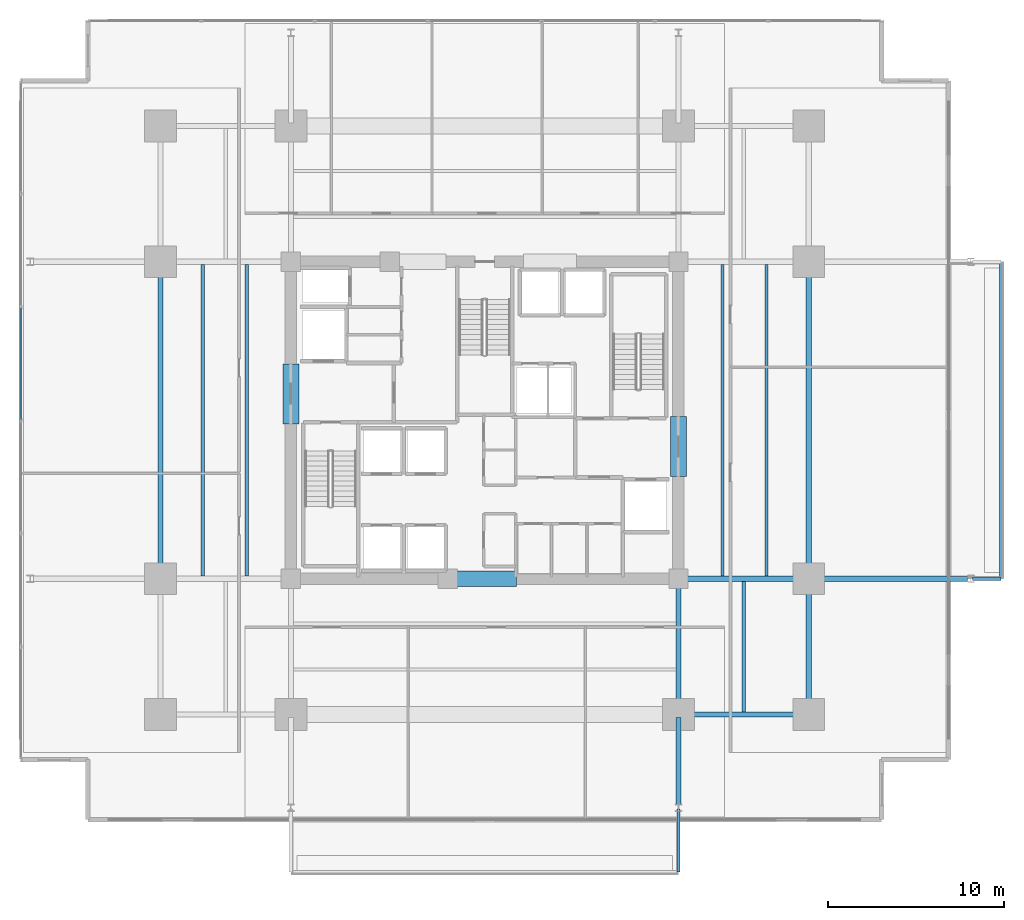
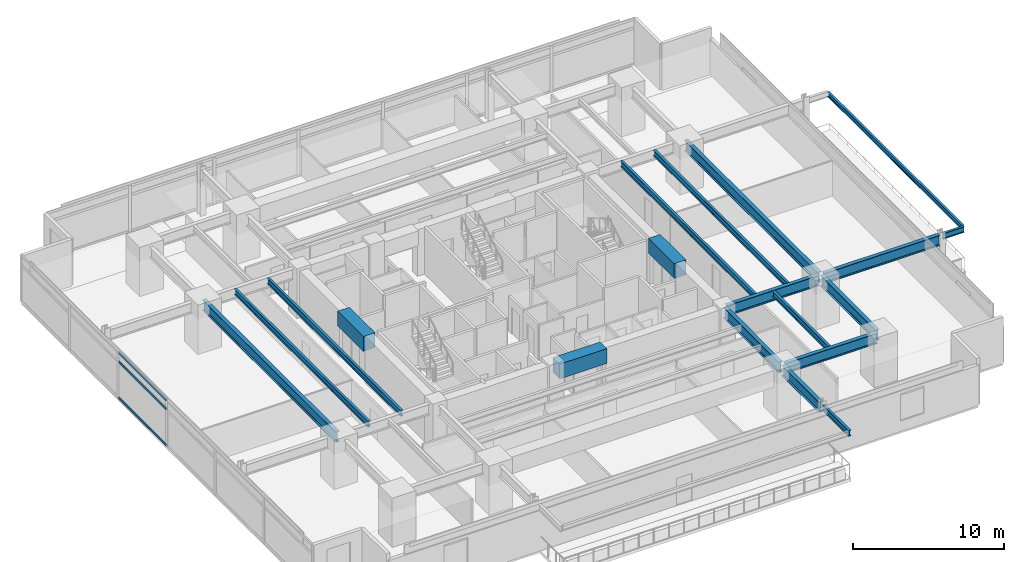
# One storey, part 5 of 21: 19 beams, 3 members, 1 element without a shape of its own.
"""IFC4 building model written with IfcOpenShell, lengths in metres."""

from ifc_helpers import new_model, si_unit, direction, frame, origin, origin_2d, place, context, subcontext, project, spatial, rectangle, hollow_rectangle, i_section, extrude, material, material_profile, profile_set, type_object, element, aggregate, save


model = new_model("IFC4")

# Units and contexts
model_context = context("Model", 3, precision=1e-05, world=origin(), true_north=direction((0.0, 1.0)))
body_context = subcontext(model_context, "Body", "Model", "MODEL_VIEW")
ifc_project = project(units=[si_unit("LENGTHUNIT", "METRE"), si_unit("AREAUNIT", "SQUARE_METRE"), si_unit("VOLUMEUNIT", "CUBIC_METRE"), si_unit("PLANEANGLEUNIT", "RADIAN"), si_unit("MASSUNIT", "GRAM", prefix="KILO")], contexts=[model_context])

# Site, building, storey
site_placement = place(None, origin())
site = spatial("IfcSite", under=ifc_project, at=site_placement, CompositionType="ELEMENT")
building_placement = place(site_placement, origin())
building = spatial("IfcBuilding", under=site, at=building_placement, Name="Kovane Verandah Tower", CompositionType="ELEMENT")
storey_placement = place(building_placement, frame((0.0, 0.0, 87.60009765625)))
storey = spatial("IfcBuildingStorey", under=building, at=storey_placement, Name="L20", CompositionType="ELEMENT", Elevation=87.60009765625)

# Beams
ifc_material_1 = material(Name="Concrete C80/95", Category="concrete")
ifc_material_profile_1 = material_profile(ifc_material_1, rectangle(XDim=0.89990234375, YDim=1.199951171875, at=origin_2d()), Name="RCB900x1200")
ifc_profile_set_1 = profile_set([ifc_material_profile_1], Name="Concrete C80/95")
beam_type_1 = type_object("IfcBeamType", Name="BM-LINTEL-900x1200", PredefinedType="LINTEL", material=ifc_profile_set_1)
beam_1_placement = place(storey_placement, frame((38.199951171875, 18.5, 3.159912109375), z_axis=(1.0, 0.0, 0.0), x_axis=(0.0, 1.0, 0.0)))
element("IfcBeam", 1, at=beam_1_placement, inside=storey, type_object=beam_type_1, Name="L20 Core Coupling Lintel CL-S", PredefinedType="LINTEL", context=body_context, shape_type="SweptSolid", body=[
    extrude(rectangle(XDim=0.89990234375, YDim=1.199951171875, at=origin_2d()), origin(), (0.0, 0.0, 1.0), 3.60009765625),
])
for number, where, z_axis, x_axis, name in (
    (2, (29.0, 27.300048828125, 3.159912109375), (0.0, 1.0, 0.0), (-1.0, 0.0, 0.0), "L20 Core Coupling Lintel CL-W"),
    (3, (51.0, 24.300048828125, 3.159912109375), (0.0, 1.0, 0.0), (-1.0, 0.0, 0.0), "L20 Core Coupling Lintel CL-E"),
):
    element("IfcBeam", number, at=place(storey_placement, frame(where, z_axis=z_axis, x_axis=x_axis)), inside=storey, type_object=beam_type_1, Name=name, PredefinedType="LINTEL", context=body_context, shape_type="SweptSolid", body=[
        extrude(rectangle(XDim=0.89990234375, YDim=1.199951171875, at=origin_2d()), origin(), (0.0, 0.0, 1.0), 3.39990234375),
    ])
ifc_material_2 = material(Name="Steel S355", Category="steel")
ifc_material_profile_2 = material_profile(ifc_material_2, i_section(OverallWidth=0.293701171875, OverallDepth=0.850830078125, WebThickness=0.01611328125, FlangeThickness=0.02685546875, FilletRadius=0.017822265625, at=origin_2d()), Name="UB838x292x226")
ifc_profile_set_2 = profile_set([ifc_material_profile_2], Name="Steel S355")
beam_type_2 = type_object("IfcBeamType", Name="BM-UB838x226", PredefinedType="BEAM", material=ifc_profile_set_2)
beam_2_placement = place(storey_placement, frame((51.179931640625, 10.800048828125, 3.33447265625), z_axis=(1.0, 0.0, 0.0), x_axis=(0.0, 1.0, 0.0)))
element("IfcBeam", 4, at=beam_2_placement, inside=storey, type_object=beam_type_2, Name="L20 Primary Tower Girder G-RS3", PredefinedType="BEAM", context=body_context, shape_type="SweptSolid", body=[
    extrude(i_section(OverallWidth=0.293701171875, OverallDepth=0.850830078125, WebThickness=0.01611328125, FlangeThickness=0.02685546875, FilletRadius=0.017822265625, at=origin_2d()), origin(), (0.0, 0.0, 1.0), 7.0400390625),
])
beam_3_placement = place(storey_placement, frame((21.60009765625, 18.679931640625, 3.33447265625), z_axis=(0.0, 1.0, 0.0), x_axis=(-1.0, 0.0, 0.0)))
element("IfcBeam", 5, at=beam_3_placement, inside=storey, type_object=beam_type_2, Name="L20 Primary Tower Girder G-RW2", PredefinedType="BEAM", context=body_context, shape_type="SweptSolid", body=[
    extrude(i_section(OverallWidth=0.293701171875, OverallDepth=0.850830078125, WebThickness=0.01611328125, FlangeThickness=0.02685546875, FilletRadius=0.017822265625, at=origin_2d()), origin(), (0.0, 0.0, 1.0), 17.64013671875),
])
beam_4_placement = place(storey_placement, frame((58.39990234375, 10.97998046875, 3.33447265625), z_axis=(0.0, 1.0, 0.0), x_axis=(-1.0, 0.0, 0.0)))
element("IfcBeam", 6, at=beam_4_placement, inside=storey, type_object=beam_type_2, Name="L20 Primary Tower Girder G-RE1", PredefinedType="BEAM", context=body_context, shape_type="SweptSolid", body=[
    extrude(i_section(OverallWidth=0.293701171875, OverallDepth=0.850830078125, WebThickness=0.01611328125, FlangeThickness=0.02685546875, FilletRadius=0.017822265625, at=origin_2d()), origin(), (0.0, 0.0, 1.0), 7.340087890625),
])
beam_5_placement = place(storey_placement, frame((58.39990234375, 18.679931640625, 3.33447265625), z_axis=(0.0, 1.0, 0.0), x_axis=(-1.0, 0.0, 0.0)))
element("IfcBeam", 7, at=beam_5_placement, inside=storey, type_object=beam_type_2, Name="L20 Primary Tower Girder G-RE2", PredefinedType="BEAM", context=body_context, shape_type="SweptSolid", body=[
    extrude(i_section(OverallWidth=0.293701171875, OverallDepth=0.850830078125, WebThickness=0.01611328125, FlangeThickness=0.02685546875, FilletRadius=0.017822265625, at=origin_2d()), origin(), (0.0, 0.0, 1.0), 17.64013671875),
])
beam_6_placement = place(storey_placement, frame((51.179931640625, 18.5, 3.33447265625), z_axis=(1.0, 0.0, 0.0), x_axis=(0.0, 1.0, 0.0)))
element("IfcBeam", 8, at=beam_6_placement, inside=storey, type_object=beam_type_2, Name="L20 Primary Tower Girder G-E1", PredefinedType="BEAM", context=body_context, shape_type="SweptSolid", body=[
    extrude(i_section(OverallWidth=0.293701171875, OverallDepth=0.850830078125, WebThickness=0.01611328125, FlangeThickness=0.02685546875, FilletRadius=0.017822265625, at=origin_2d()), origin(), (0.0, 0.0, 1.0), 7.0400390625),
])
beam_7_placement = place(storey_placement, frame((51.0, 18.320068359375, 3.33447265625), z_axis=(0.0, -1.0, 0.0), x_axis=(1.0, 0.0, 0.0)))
element("IfcBeam", 9, at=beam_7_placement, inside=storey, type_object=beam_type_2, Name="L20 Primary Tower Girder G-S2", PredefinedType="BEAM", context=body_context, shape_type="SweptSolid", body=[
    extrude(i_section(OverallWidth=0.293701171875, OverallDepth=0.850830078125, WebThickness=0.01611328125, FlangeThickness=0.02685546875, FilletRadius=0.017822265625, at=origin_2d()), origin(), (0.0, 0.0, 1.0), 7.340087890625),
])
beam_8_placement = place(storey_placement, frame((58.580078125, 18.5, 3.33447265625), z_axis=(1.0, 0.0, 0.0), x_axis=(0.0, 1.0, 0.0)))
element("IfcBeam", 10, at=beam_8_placement, inside=storey, type_object=beam_type_2, Name="L20 Primary Tower Girder G-VE1", PredefinedType="BEAM", context=body_context, shape_type="SweptSolid", body=[
    extrude(i_section(OverallWidth=0.293701171875, OverallDepth=0.850830078125, WebThickness=0.01611328125, FlangeThickness=0.02685546875, FilletRadius=0.017822265625, at=origin_2d()), origin(), (0.0, 0.0, 1.0), 8.83984375),
])
beam_9_placement = place(storey_placement, frame((51.0, 10.6201171875, 3.33447265625), z_axis=(0.0, -1.0, 0.0), x_axis=(1.0, 0.0, 0.0)))
element("IfcBeam", 11, at=beam_9_placement, inside=storey, type_object=beam_type_2, Name="L20 Primary Tower Girder G-VS2", PredefinedType="BEAM", context=body_context, shape_type="SweptSolid", body=[
    extrude(i_section(OverallWidth=0.293701171875, OverallDepth=0.850830078125, WebThickness=0.01611328125, FlangeThickness=0.02685546875, FilletRadius=0.017822265625, at=origin_2d()), origin(), (0.0, 0.0, 1.0), 4.940185546875),
])

# Curtain wall, members
ifc_material_3 = material(Name="Champagne Anodised Aluminium Frame with Low-E Clear Laminated Glass", Category="aluminium")
curtain_wall_type = type_object("IfcCurtainWallType", Name="CW-SYS-02-LOW", PredefinedType="NOTDEFINED", material=ifc_material_3)
curtain_wall_placement = place(storey_placement, origin())
curtain_wall = element("IfcCurtainWall", 12, at=curtain_wall_placement, inside=storey, type_object=curtain_wall_type, Name="L20 W Unitised Curtain Wall", PredefinedType="NOTDEFINED")
ifc_material_4 = material(Name="Champagne Anodised Aluminium 6063-T6", Category="aluminium")
ifc_material_profile_3 = material_profile(ifc_material_4, hollow_rectangle(XDim=0.0849609375, YDim=0.18994140625, WallThickness=0.00390625, at=origin_2d()), Name="AL85x190x4")
ifc_profile_set_3 = profile_set([ifc_material_profile_3], Name="Champagne Anodised Aluminium 6063-T6")
member_type = type_object("IfcMemberType", Name="CW-TRN-85x190", PredefinedType="USERDEFINED", material=ifc_profile_set_3)
member_1_placement = place(storey_placement, frame((13.670166015625, 33.87353515625, 0.0498046875), z_axis=(0.0, -1.0, 0.0), x_axis=(1.0, 0.0, 0.0)))
member_1 = element("IfcMember", 13, at=member_1_placement, type_object=member_type, Name="L20 W Unitised Curtain Wall Transom TB Bay 3", ObjectType="TRANSOM", PredefinedType="USERDEFINED", context=body_context, shape_type="SweptSolid", body=[
    extrude(hollow_rectangle(XDim=0.0849609375, YDim=0.18994140625, WallThickness=0.00390625, at=origin_2d()), origin(), (0.0, 0.0, 1.0), 6.323486328125),
])
member_2_placement = place(storey_placement, frame((13.670166015625, 33.87353515625, 2.97998046875), z_axis=(0.0, -1.0, 0.0), x_axis=(1.0, 0.0, 0.0)))
member_2 = element("IfcMember", 14, at=member_2_placement, type_object=member_type, Name="L20 W Unitised Curtain Wall Transom TM Bay 3", ObjectType="TRANSOM", PredefinedType="USERDEFINED", context=body_context, shape_type="SweptSolid", body=[
    extrude(hollow_rectangle(XDim=0.0849609375, YDim=0.18994140625, WallThickness=0.00390625, at=origin_2d()), origin(), (0.0, 0.0, 1.0), 6.323486328125),
])
member_3_placement = place(storey_placement, frame((13.670166015625, 33.87353515625, 3.7099609375), z_axis=(0.0, -1.0, 0.0), x_axis=(1.0, 0.0, 0.0)))
member_3 = element("IfcMember", 15, at=member_3_placement, type_object=member_type, Name="L20 W Unitised Curtain Wall Transom TT Bay 3", ObjectType="TRANSOM", PredefinedType="USERDEFINED", context=body_context, shape_type="SweptSolid", body=[
    extrude(hollow_rectangle(XDim=0.0849609375, YDim=0.18994140625, WallThickness=0.00390625, at=origin_2d()), origin(), (0.0, 0.0, 1.0), 6.323486328125),
])
aggregate(curtain_wall, [member_1, member_2, member_3])

# Beams
ifc_material_profile_4 = material_profile(ifc_material_2, i_section(OverallWidth=0.19287109375, OverallDepth=0.46728515625, WebThickness=0.011474609375, FlangeThickness=0.01953125, FilletRadius=0.01025390625, at=origin_2d()), Name="UB457x191x98")
ifc_profile_set_4 = profile_set([ifc_material_profile_4], Name="Steel S355")
beam_type_3 = type_object("IfcBeamType", Name="JST-UB457x98", PredefinedType="JOIST", material=ifc_profile_set_4)
for number, where, z_axis, x_axis, name in (
    (16, (24.0, 18.64501953125, 3.5263671875), (0.0, 1.0, 0.0), (-1.0, 0.0, 0.0), "L20 Secondary Composite Joist J-W1"),
    (17, (26.5, 18.64501953125, 3.5263671875), (0.0, 1.0, 0.0), (-1.0, 0.0, 0.0), "L20 Secondary Composite Joist J-W2"),
    (18, (53.5, 18.64501953125, 3.5263671875), (0.0, 1.0, 0.0), (-1.0, 0.0, 0.0), "L20 Secondary Composite Joist J-E1"),
    (19, (56.0, 18.64501953125, 3.5263671875), (0.0, 1.0, 0.0), (-1.0, 0.0, 0.0), "L20 Secondary Composite Joist J-E2"),
):
    element("IfcBeam", number, at=place(storey_placement, frame(where, z_axis=z_axis, x_axis=x_axis)), inside=storey, type_object=beam_type_3, Name=name, PredefinedType="JOIST", context=body_context, shape_type="SweptSolid", body=[
        extrude(i_section(OverallWidth=0.19287109375, OverallDepth=0.46728515625, WebThickness=0.011474609375, FlangeThickness=0.01953125, FilletRadius=0.01025390625, at=origin_2d()), origin(), (0.0, 0.0, 1.0), 17.7099609375),
    ])
beam_10_placement = place(storey_placement, frame((54.699951171875, 10.94482421875, 3.5263671875), z_axis=(0.0, 1.0, 0.0), x_axis=(-1.0, 0.0, 0.0)))
element("IfcBeam", 20, at=beam_10_placement, inside=storey, type_object=beam_type_3, Name="L20 Secondary Composite Joist J-SE1", PredefinedType="JOIST", context=body_context, shape_type="SweptSolid", body=[
    extrude(i_section(OverallWidth=0.19287109375, OverallDepth=0.46728515625, WebThickness=0.011474609375, FlangeThickness=0.01953125, FilletRadius=0.01025390625, at=origin_2d()), origin(), (0.0, 0.0, 1.0), 7.41015625),
])
beam_11_placement = place(storey_placement, frame((51.0, 5.419921875, 3.5263671875), z_axis=(0.0, -1.0, 0.0), x_axis=(1.0, 0.0, 0.0)))
element("IfcBeam", 21, at=beam_11_placement, inside=storey, type_object=beam_type_3, Name="L20 South Planter Girder 2", PredefinedType="JOIST", context=body_context, shape_type="SweptSolid", body=[
    extrude(i_section(OverallWidth=0.19287109375, OverallDepth=0.46728515625, WebThickness=0.011474609375, FlangeThickness=0.01953125, FilletRadius=0.01025390625, at=origin_2d()), origin(), (0.0, 0.0, 1.0), 3.56494140625),
])
beam_12_placement = place(storey_placement, frame((67.679931640625, 18.5, 3.5263671875), z_axis=(1.0, 0.0, 0.0), x_axis=(0.0, 1.0, 0.0)))
element("IfcBeam", 22, at=beam_12_placement, inside=storey, type_object=beam_type_3, Name="L20 East Planter Girder 1", PredefinedType="JOIST", context=body_context, shape_type="SweptSolid", body=[
    extrude(i_section(OverallWidth=0.19287109375, OverallDepth=0.46728515625, WebThickness=0.011474609375, FlangeThickness=0.01953125, FilletRadius=0.01025390625, at=origin_2d()), origin(), (0.0, 0.0, 1.0), 1.63427734375),
])
ifc_material_profile_5 = material_profile(ifc_material_2, i_section(OverallWidth=0.173095703125, OverallDepth=0.36328125, WebThickness=0.009033203125, FlangeThickness=0.015625, FilletRadius=0.01025390625, at=origin_2d()), Name="UB356x171x67")
ifc_profile_set_5 = profile_set([ifc_material_profile_5], Name="Steel S355")
beam_type_4 = type_object("IfcBeamType", Name="SPD-UB356x67", PredefinedType="USERDEFINED", material=ifc_profile_set_5)
beam_13_placement = place(storey_placement, frame((69.314208984375, 18.594482421875, 3.578125), z_axis=(0.0, 1.0, 0.0), x_axis=(-1.0, 0.0, 0.0)))
element("IfcBeam", 23, at=beam_13_placement, inside=storey, type_object=beam_type_4, Name="L20 East Planter Edge Spandrel", ObjectType="SPANDREL", PredefinedType="USERDEFINED", context=body_context, shape_type="SweptSolid", body=[
    extrude(i_section(OverallWidth=0.173095703125, OverallDepth=0.36328125, WebThickness=0.009033203125, FlangeThickness=0.015625, FilletRadius=0.01025390625, at=origin_2d()), origin(), (0.0, 0.0, 1.0), 17.81103515625),
])

save(model, "model.ifc")
